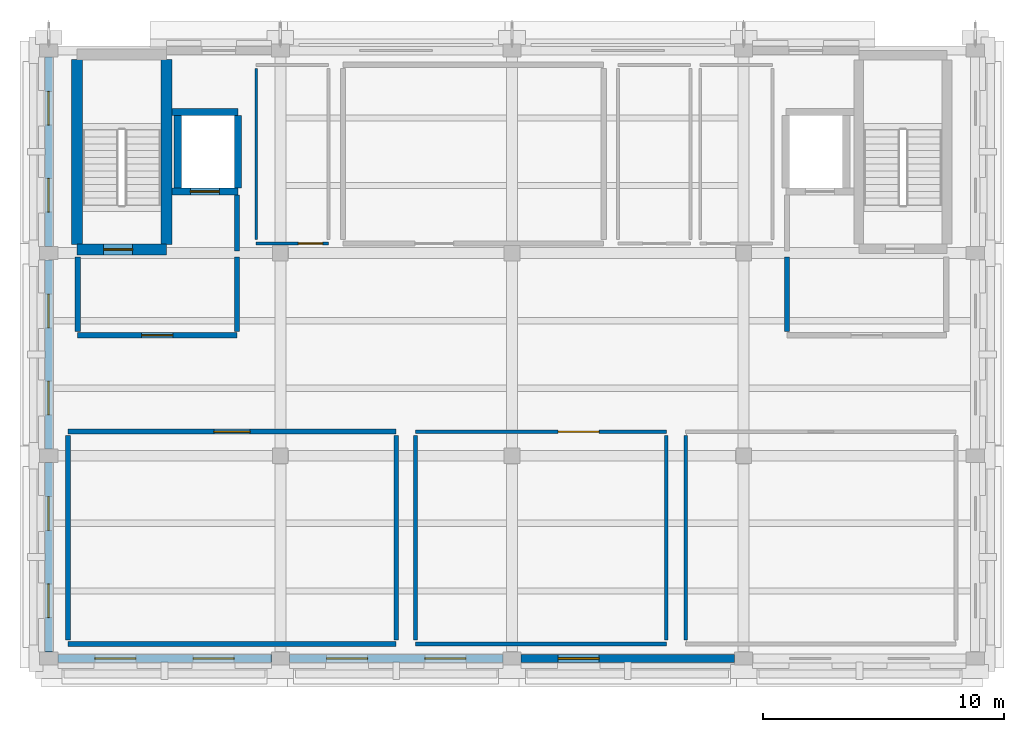
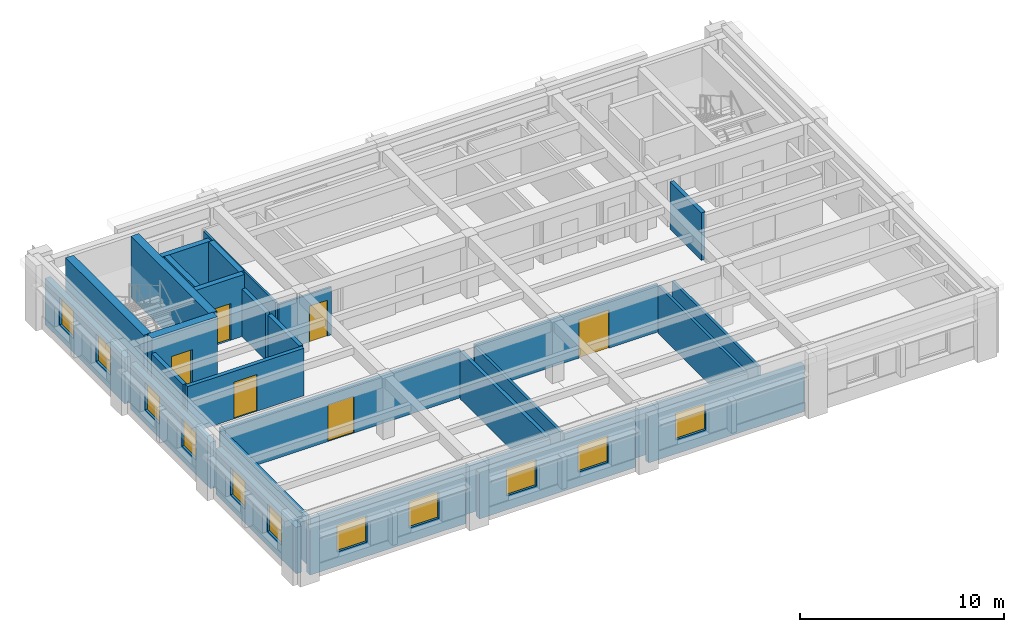
# One storey, part 4 of 9: 29 walls, 11 windows, 6 doors, 17 openings.
"""IFC4 building model written with IfcOpenShell, lengths in metres."""

import ifcopenshell
import ifcopenshell.guid

model = None  # the IFC model being written
_history = None  # IfcOwnerHistory: only IFC2X3 demands one
_inside = {}  # id of a spatial element -> (the spatial element, [elements in it])
_under = {}  # id of a project, library or spatial element -> (it, [spatial elements below it])
_declared = {}  # id of a project -> (the project, [libraries it declares])
_typed = {}  # id of a type object -> (the type object, [elements of that type])
_made_of = {}  # id of a material, layer set ... -> (it, [elements and type objects made of it])


def new_model(schema):
    """Start an empty IFC model of exactly this schema.

    Asked for "IFC4X3", IfcOpenShell would pick the latest addendum, in which some entities
    have other attributes; the version numbers below select the first issue.
    IFC2X3 requires an IfcOwnerHistory on every rooted entity: one is made here for all.
    """
    global model, _history
    if schema == "IFC4X3":
        model = ifcopenshell.file(schema_version=(4, 3, 0, 0))
    else:
        model = ifcopenshell.file(schema=schema)
    _inside.clear()
    _under.clear()
    _declared.clear()
    _typed.clear()
    _made_of.clear()
    _history = None
    if model.schema == "IFC2X3":
        org = make("IfcOrganization", Name="unknown")
        user = make(
            "IfcPersonAndOrganization",
            ThePerson=make("IfcPerson", FamilyName="unknown"),
            TheOrganization=org,
        )
        app = make(
            "IfcApplication",
            ApplicationDeveloper=org,
            Version="unknown",
            ApplicationFullName="unknown",
            ApplicationIdentifier="unknown",
        )
        _history = make(
            "IfcOwnerHistory",
            OwningUser=user,
            OwningApplication=app,
            ChangeAction="ADDED",
            CreationDate=0,
        )
    return model


def make(cls, **values):
    """One entity of the class cls with the attributes given. An attribute that is None is left unset."""
    return model.create_entity(
        cls, **{name: value for name, value in values.items() if value is not None}
    )


def rooted(cls, **values):
    """An entity with a GlobalId (a new one), such as an element, a storey or a relation."""
    return make(cls, GlobalId=ifcopenshell.guid.new(), OwnerHistory=_history, **values)


def si_unit(unit_type, name, prefix=None):
    """IfcSIUnit, for example si_unit("LENGTHUNIT", "METRE", prefix="MILLI")."""
    return make("IfcSIUnit", UnitType=unit_type, Prefix=prefix, Name=name)


def assignment(units):
    """IfcUnitAssignment: the units of a project."""
    return None if units is None else make("IfcUnitAssignment", Units=units)


def point(xyz):
    """IfcCartesianPoint."""
    return None if xyz is None else make("IfcCartesianPoint", Coordinates=xyz)


def direction(xyz):
    """IfcDirection."""
    return None if xyz is None else make("IfcDirection", DirectionRatios=xyz)


def frame(location, z_axis=None, x_axis=None):
    """IfcAxis2Placement3D, a coordinate frame: its origin and axes. An axis left out is left unset."""
    return make(
        "IfcAxis2Placement3D",
        Location=point(location),
        Axis=direction(z_axis),
        RefDirection=direction(x_axis),
    )


def frame_2d(location, x_axis=None):
    """IfcAxis2Placement2D, a coordinate frame in the plane: its origin and x axis."""
    return make(
        "IfcAxis2Placement2D", Location=point(location), RefDirection=direction(x_axis)
    )


def origin():
    """The frame at (0, 0, 0) with its axes left unset."""
    return frame((0.0, 0.0, 0.0))


def place(relative_to, where):
    """IfcLocalPlacement: puts the frame where relative to a parent placement (None: the world)."""
    return make(
        "IfcLocalPlacement", PlacementRelTo=relative_to, RelativePlacement=where
    )


def context(
    kind, dimensions, precision=None, world=None, true_north=None, identifier=None
):
    """IfcGeometricRepresentationContext, for example the 3D "Model" context."""
    return make(
        "IfcGeometricRepresentationContext",
        ContextIdentifier=identifier,
        ContextType=kind,
        CoordinateSpaceDimension=dimensions,
        Precision=precision,
        WorldCoordinateSystem=world,
        TrueNorth=true_north,
    )


def subcontext(parent, identifier, kind, view, scale=None):
    """IfcGeometricRepresentationSubContext, for example "Body" below "Model"."""
    return make(
        "IfcGeometricRepresentationSubContext",
        ContextIdentifier=identifier,
        ContextType=kind,
        ParentContext=parent,
        TargetScale=scale,
        TargetView=view,
    )


def project(units=None, contexts=None):
    """IfcProject with its units and contexts."""
    return rooted(
        "IfcProject",
        Name="project",
        RepresentationContexts=contexts,
        UnitsInContext=assignment(units),
    )


def spatial(cls, under=None, at=None, **own):
    """A site, building, storey or space (cls), placed at a placement, below another one or the project."""
    s = rooted(cls, ObjectPlacement=at, **own)
    if under is not None:
        _under.setdefault(under.id(), (under, []))[1].append(s)
    return s


def profile(cls, at=None, kind="AREA", **sizes):
    """A parametric profile (cls). Its sizes go by their IFC names, for example OverallWidth=200.0."""
    return make(cls, ProfileType=kind, Position=at, **sizes)


def rectangle(**sizes):
    """IfcRectangleProfileDef."""
    return profile("IfcRectangleProfileDef", **sizes)


def extrude(swept, where, along, depth):
    """IfcExtrudedAreaSolid: the profile swept, set in the frame where, extruded along a direction by depth."""
    return make(
        "IfcExtrudedAreaSolid",
        SweptArea=swept,
        Position=where,
        ExtrudedDirection=direction(along),
        Depth=depth,
    )


def shape(context_of_items, identifier, shape_type, items):
    """IfcShapeRepresentation: the items that make up one representation, for example the "Body"."""
    return make(
        "IfcShapeRepresentation",
        ContextOfItems=context_of_items,
        RepresentationIdentifier=identifier,
        RepresentationType=shape_type,
        Items=items,
    )


def material(Name=None, Category=None):
    """IfcMaterial."""
    return make("IfcMaterial", Name=Name, Category=Category)


def layer(
    of_material, thickness, ventilated=None, Name=None, Category=None, Priority=None
):
    """IfcMaterialLayer: one layer of a wall or slab, of a material (None: an air gap)."""
    return make(
        "IfcMaterialLayer",
        Material=of_material,
        LayerThickness=thickness,
        IsVentilated=ventilated,
        Name=Name,
        Category=Category,
        Priority=Priority,
    )


def layer_set(layers, Name=None):
    """IfcMaterialLayerSet."""
    return make("IfcMaterialLayerSet", MaterialLayers=layers, LayerSetName=Name)


def made_of(thing, what):
    """Note that an element or type object is made of a material, layer set ...; save() writes the relation."""
    if what is not None:
        _made_of.setdefault(what.id(), (what, []))[1].append(thing)
    return thing


def type_object(cls, material=None, **own):
    """A type object (cls), such as IfcWallType, which elements share."""
    return made_of(rooted(cls, **own), material)


def element(
    cls,
    number,
    at=None,
    inside=None,
    cuts=None,
    type_object=None,
    material=None,
    context=None,
    identifier="Body",
    shape_type=None,
    held_by="IfcProductDefinitionShape",
    body=None,
    shapes=None,
    **own,
):
    """One element of the class cls, such as IfcWall. Its Tag is "e" and its number.

    at: its placement. inside: the storey or other place that contains it. cuts: it is an
    opening in that element (IfcRelVoidsElement). A single representation is given by context,
    identifier, shape_type and body (its items); several are given by shapes. held_by: the class
    of the entity that holds the representations. save() writes the other relations.
    """
    e = rooted(cls, Tag="e%d" % number, ObjectPlacement=at, **own)
    if body is not None:
        shapes = [shape(context, identifier, shape_type, body)]
    if shapes is not None:
        e.Representation = make(held_by, Representations=shapes)
    if inside is not None:
        _inside.setdefault(inside.id(), (inside, []))[1].append(e)
    if cuts is not None:
        rooted(
            "IfcRelVoidsElement", RelatingBuildingElement=cuts, RelatedOpeningElement=e
        )
    if type_object is not None:
        _typed.setdefault(type_object.id(), (type_object, []))[1].append(e)
    return made_of(e, material)


def fill(opening, filler):
    """IfcRelFillsElement: the door or window that sits in an opening."""
    return rooted(
        "IfcRelFillsElement",
        RelatingOpeningElement=opening,
        RelatedBuildingElement=filler,
    )


def aggregate(whole, parts):
    """IfcRelAggregates: a whole, such as a stair, and the parts it consists of."""
    return rooted("IfcRelAggregates", RelatingObject=whole, RelatedObjects=parts)


def save(model, path):
    """Write the relations noted so far, then the file.

    IfcRelAggregates (storeys below a building ...), IfcRelContainedInSpatialStructure (elements
    in a storey), IfcRelDefinesByType, IfcRelAssociatesMaterial and IfcRelDeclares: one each for
    every whole, place, type object, material and project.
    """
    for whole, parts in _under.values():
        aggregate(whole, parts)
    for where, things in _inside.values():
        rooted(
            "IfcRelContainedInSpatialStructure",
            RelatedElements=things,
            RelatingStructure=where,
        )
    for kind, things in _typed.values():
        rooted("IfcRelDefinesByType", RelatedObjects=things, RelatingType=kind)
    for what, things in _made_of.values():
        rooted("IfcRelAssociatesMaterial", RelatedObjects=things, RelatingMaterial=what)
    for by, libraries in _declared.values():
        rooted("IfcRelDeclares", RelatingContext=by, RelatedDefinitions=libraries)
    model.write(path)


model = new_model("IFC4")

# Units and contexts
model_context = context("Model", 3, precision=1e-05, world=origin(), true_north=direction((0.0, 1.0)))
body_context = subcontext(model_context, "Body", "Model", "MODEL_VIEW")
ifc_project = project(units=[si_unit("LENGTHUNIT", "METRE"), si_unit("AREAUNIT", "SQUARE_METRE"), si_unit("VOLUMEUNIT", "CUBIC_METRE"), si_unit("PLANEANGLEUNIT", "RADIAN"), si_unit("MASSUNIT", "GRAM", prefix="KILO")], contexts=[model_context])

# Site, building, storey
site_placement = place(None, origin())
site = spatial("IfcSite", under=ifc_project, at=site_placement, CompositionType="ELEMENT")
building_placement = place(site_placement, origin())
building = spatial("IfcBuilding", under=site, at=building_placement, Name="Bempovik Park Faculty of Sciences", CompositionType="ELEMENT")
storey_placement = place(building_placement, frame((0.0, 0.0, 46.199951171875)))
storey = spatial("IfcBuildingStorey", under=building, at=storey_placement, Name="L11", CompositionType="ELEMENT", Elevation=46.199951171875)

# Wall, opening, door
ifc_material_1 = material(Name="Concrete C40/50", Category="concrete")
ifc_layer_1 = layer(ifc_material_1, 0.449951171875)
ifc_layer_set_1 = layer_set([ifc_layer_1], Name="Concrete C40/50")
wall_type_1 = type_object("IfcWallType", Name="W-15 Wall 450mm", PredefinedType="SHEAR", material=ifc_layer_set_1)
wall_1_placement = place(storey_placement, frame((70.77490234375, 111.14990234375, 0.0), z_axis=(0.0, 0.0, 1.0), x_axis=(1.0, 0.0, 0.0)))
wall_1 = element("IfcWall", 1, at=wall_1_placement, inside=storey, type_object=wall_type_1, Name="ST-1 L11 Core Shear Wall South", PredefinedType="SHEAR", context=body_context, shape_type="SweptSolid", body=[
    extrude(rectangle(XDim=3.7001953125, YDim=0.449951171875, at=frame_2d((1.85009765625, 0.0))), origin(), (0.0, 0.0, 1.0), 3.679931640625),
])
opening_1_placement = place(wall_1_placement, frame((1.10009765625, 0.0, 0.0)))
opening_1 = element("IfcOpeningElement", 2, at=opening_1_placement, cuts=wall_1, Name="Opening D-49", PredefinedType="OPENING", context=body_context, shape_type="SweptSolid", body=[
    extrude(rectangle(XDim=1.199951171875, YDim=2.199951171875, at=frame_2d((0.60009765625, 1.10009765625))), frame((0.0, 0.23486328125, 0.0), z_axis=(0.0, -1.0, 0.0), x_axis=(1.0, 0.0, 0.0)), (0.0, 0.0, 1.0), 0.469970703125),
])
ifc_material_2 = material(Name="Painted steel S355", Category="steel")
door_type_1 = type_object("IfcDoorType", Name="D-49 Door 1200x2200", OperationType="NOTDEFINED", PredefinedType="DOOR", material=ifc_material_2)
door_1_placement = place(opening_1_placement, origin())
door_1 = element("IfcDoor", 3, at=door_1_placement, inside=storey, type_object=door_type_1, Name="ST-1 L11 Protected Stair Smoke Door", OperationType="SINGLE_SWING_LEFT", OverallHeight=2.199951171875, OverallWidth=1.199951171875, PredefinedType="DOOR", context=body_context, shape_type="SweptSolid", body=[
    extrude(rectangle(XDim=1.199951171875, YDim=2.199951171875, at=frame_2d((0.60009765625, 1.10009765625))), frame((0.0, 0.02490234375, 0.0), z_axis=(0.0, -1.0, 0.0), x_axis=(1.0, 0.0, 0.0)), (0.0, 0.0, 1.0), 0.050048828125),
])
fill(opening_1, door_1)

# Walls
for number, where, z_axis, x_axis, name in (
    (4, (70.77490234375, 111.35009765625, 0.0), (0.0, 0.0, 1.0), (0.0, 1.0, 0.0), "ST-1 L11 Core Shear Wall West"),
    (5, (74.47509765625, 111.35009765625, 0.0), (0.0, 0.0, 1.0), (0.0, 1.0, 0.0), "ST-1 L11 Core Shear Wall East"),
):
    element("IfcWall", number, at=place(storey_placement, frame(where, z_axis=z_axis, x_axis=x_axis)), inside=storey, type_object=wall_type_1, Name=name, PredefinedType="SHEAR", context=body_context, shape_type="SweptSolid", body=[
        extrude(rectangle(XDim=7.6748046875, YDim=0.449951171875, at=frame_2d((3.83740234375, 0.0))), origin(), (0.0, 0.0, 1.0), 3.679931640625),
    ])

# Wall, opening, door
ifc_material_3 = material(Name="Gypsum acoustic stud assembly")
ifc_layer_2 = layer(ifc_material_3, 0.1201171875)
ifc_layer_set_2 = layer_set([ifc_layer_2], Name="Gypsum acoustic stud assembly")
wall_type_2 = type_object("IfcWallType", Name="W-17 Wall 120mm", PredefinedType="PARTITIONING", material=ifc_layer_set_2)
wall_2_placement = place(storey_placement, frame((78.199951171875, 111.39990234375, 0.0), z_axis=(0.0, 0.0, 1.0), x_axis=(1.0, 0.0, 0.0)))
wall_2 = element("IfcWall", 6, at=wall_2_placement, inside=storey, type_object=wall_type_2, Name="L11 L11 Accessible WC Partition South", PredefinedType="PARTITIONING", context=body_context, shape_type="SweptSolid", body=[
    extrude(rectangle(XDim=3.0, YDim=0.1201171875, at=frame_2d((1.5, 0.0))), origin(), (0.0, 0.0, 1.0), 2.85009765625),
])
opening_2_placement = place(wall_2_placement, frame((1.75, 0.0, 0.0)))
opening_2 = element("IfcOpeningElement", 7, at=opening_2_placement, cuts=wall_2, Name="Opening D-50", PredefinedType="OPENING", context=body_context, shape_type="SweptSolid", body=[
    extrude(rectangle(XDim=1.0, YDim=2.14990234375, at=frame_2d((0.5, 1.074951171875))), frame((0.0, 0.070068359375, 0.0), z_axis=(0.0, -1.0, 0.0), x_axis=(1.0, 0.0, 0.0)), (0.0, 0.0, 1.0), 0.14013671875),
])
ifc_material_4 = material(Name="West African hardwood finish", Category="wood")
door_type_2 = type_object("IfcDoorType", Name="D-50 Door 1000x2150", OperationType="NOTDEFINED", PredefinedType="DOOR", material=ifc_material_4)
door_2_placement = place(opening_2_placement, origin())
door_2 = element("IfcDoor", 8, at=door_2_placement, inside=storey, type_object=door_type_2, Name="L11 L11 Accessible WC Door", OperationType="SINGLE_SWING_RIGHT", OverallHeight=2.14990234375, OverallWidth=1.0, PredefinedType="DOOR", context=body_context, shape_type="SweptSolid", body=[
    extrude(rectangle(XDim=1.0, YDim=2.14990234375, at=frame_2d((0.5, 1.074951171875))), frame((0.0, 0.02490234375, 0.0), z_axis=(0.0, -1.0, 0.0), x_axis=(1.0, 0.0, 0.0)), (0.0, 0.0, 1.0), 0.050048828125),
])
fill(opening_2, door_2)

# Wall
wall_3_placement = place(storey_placement, frame((78.199951171875, 111.56005859375, 0.0), z_axis=(0.0, 0.0, 1.0), x_axis=(0.0, 1.0, 0.0)))
element("IfcWall", 9, at=wall_3_placement, inside=storey, type_object=wall_type_2, Name="L11 L11 Accessible WC Partition West", PredefinedType="PARTITIONING", context=body_context, shape_type="SweptSolid", body=[
    extrude(rectangle(XDim=7.079833984375, YDim=0.1201171875, at=frame_2d((3.5400390625, 0.0))), origin(), (0.0, 0.0, 1.0), 2.85009765625),
])

# Wall, opening, door
ifc_layer_3 = layer(ifc_material_1, 0.300048828125)
ifc_layer_set_3 = layer_set([ifc_layer_3], Name="Concrete C40/50")
wall_type_3 = type_object("IfcWallType", Name="W-31 Wall 300mm", PredefinedType="SHEAR", material=ifc_layer_set_3)
wall_4_placement = place(storey_placement, frame((74.699951171875, 113.550048828125, 0.0), z_axis=(0.0, 0.0, 1.0), x_axis=(1.0, 0.0, 0.0)))
wall_4 = element("IfcWall", 10, at=wall_4_placement, inside=storey, type_object=wall_type_3, Name="Lift LF-1 L11 Shaft Wall South", PredefinedType="SHEAR", context=body_context, shape_type="SweptSolid", body=[
    extrude(rectangle(XDim=2.75, YDim=0.300048828125, at=frame_2d((1.375, 0.0))), origin(), (0.0, 0.0, 1.0), 3.679931640625),
])
opening_3_placement = place(wall_4_placement, frame((0.77490234375, 0.0, 0.0)))
opening_3 = element("IfcOpeningElement", 11, at=opening_3_placement, cuts=wall_4, Name="Opening LD-01", PredefinedType="OPENING", context=body_context, shape_type="SweptSolid", body=[
    extrude(rectangle(XDim=1.199951171875, YDim=2.199951171875, at=frame_2d((0.60009765625, 1.10009765625))), frame((0.0, 0.16015625, 0.0), z_axis=(0.0, -1.0, 0.0), x_axis=(1.0, 0.0, 0.0)), (0.0, 0.0, 1.0), 0.320068359375),
])
door_type_3 = type_object("IfcDoorType", Name="LD-01 Door 1200x2200", OperationType="NOTDEFINED", PredefinedType="DOOR", material=ifc_material_2)
door_3_placement = place(opening_3_placement, origin())
door_3 = element("IfcDoor", 12, at=door_3_placement, inside=storey, type_object=door_type_3, Name="Lift LF-1 L11 Sliding Landing Door", OperationType="SLIDING_TO_LEFT", OverallHeight=2.199951171875, OverallWidth=1.199951171875, PredefinedType="DOOR", context=body_context, shape_type="SweptSolid", body=[
    extrude(rectangle(XDim=1.199951171875, YDim=2.199951171875, at=frame_2d((0.60009765625, 1.10009765625))), frame((0.0, 0.02490234375, 0.0), z_axis=(0.0, -1.0, 0.0), x_axis=(1.0, 0.0, 0.0)), (0.0, 0.0, 1.0), 0.050048828125),
])
fill(opening_3, door_3)

# Walls
wall_5_placement = place(storey_placement, frame((74.699951171875, 116.85009765625, 0.0), z_axis=(0.0, 0.0, 1.0), x_axis=(1.0, 0.0, 0.0)))
element("IfcWall", 13, at=wall_5_placement, inside=storey, type_object=wall_type_3, Name="Lift LF-1 L11 Shaft Wall North", PredefinedType="SHEAR", context=body_context, shape_type="SweptSolid", body=[
    extrude(rectangle(XDim=2.75, YDim=0.300048828125, at=frame_2d((1.375, 0.0))), origin(), (0.0, 0.0, 1.0), 3.679931640625),
])
for number, where, z_axis, x_axis, name in (
    (14, (74.949951171875, 113.699951171875, 0.0), (0.0, 0.0, 1.0), (0.0, 1.0, 0.0), "Lift LF-1 L11 Shaft Wall West"),
    (15, (77.449951171875, 113.699951171875, 0.0), (0.0, 0.0, 1.0), (0.0, 1.0, 0.0), "Lift LF-1 L11 Shaft Wall East"),
):
    element("IfcWall", number, at=place(storey_placement, frame(where, z_axis=z_axis, x_axis=x_axis)), inside=storey, type_object=wall_type_3, Name=name, PredefinedType="SHEAR", context=body_context, shape_type="SweptSolid", body=[
        extrude(rectangle(XDim=3.0, YDim=0.300048828125, at=frame_2d((1.5, 0.0))), origin(), (0.0, 0.0, 1.0), 3.679931640625),
    ])

# Wall, opening, door
ifc_material_5 = material(Name="Concrete C35/45", Category="concrete")
ifc_layer_4 = layer(ifc_material_5, 0.219970703125)
ifc_layer_set_4 = layer_set([ifc_layer_4], Name="Concrete C35/45")
wall_type_4 = type_object("IfcWallType", Name="W-38 Wall 220mm", PredefinedType="PARTITIONING", material=ifc_layer_set_4)
wall_6_placement = place(storey_placement, frame((70.800048828125, 107.60009765625, 0.0), z_axis=(0.0, 0.0, 1.0), x_axis=(1.0, 0.0, 0.0)))
wall_6 = element("IfcWall", 16, at=wall_6_placement, inside=storey, type_object=wall_type_4, Name="L11 Firefighting Lift Lobby West Partition South", PredefinedType="PARTITIONING", context=body_context, shape_type="SweptSolid", body=[
    extrude(rectangle(XDim=6.599853515625, YDim=0.219970703125, at=frame_2d((3.2998046875, 0.0))), origin(), (0.0, 0.0, 1.0), 2.85009765625),
])
opening_4_placement = place(wall_6_placement, frame((2.64990234375, 0.0, 0.0)))
opening_4 = element("IfcOpeningElement", 17, at=opening_4_placement, cuts=wall_6, Name="Opening D-38", PredefinedType="OPENING", context=body_context, shape_type="SweptSolid", body=[
    extrude(rectangle(XDim=1.300048828125, YDim=2.199951171875, at=frame_2d((0.64990234375, 1.10009765625))), frame((0.0, 0.1201171875, 0.0), z_axis=(0.0, -1.0, 0.0), x_axis=(1.0, 0.0, 0.0)), (0.0, 0.0, 1.0), 0.239990234375),
])
door_type_4 = type_object("IfcDoorType", Name="D-38 Door 1300x2200", OperationType="NOTDEFINED", PredefinedType="DOOR", material=ifc_material_2)
door_4_placement = place(opening_4_placement, origin())
door_4 = element("IfcDoor", 18, at=door_4_placement, inside=storey, type_object=door_type_4, Name="L11 Firefighting Lift Lobby West Door", OperationType="SINGLE_SWING_RIGHT", OverallHeight=2.199951171875, OverallWidth=1.300048828125, PredefinedType="DOOR", context=body_context, shape_type="SweptSolid", body=[
    extrude(rectangle(XDim=1.300048828125, YDim=2.199951171875, at=frame_2d((0.64990234375, 1.10009765625))), frame((0.0, 0.02490234375, 0.0), z_axis=(0.0, -1.0, 0.0), x_axis=(1.0, 0.0, 0.0)), (0.0, 0.0, 1.0), 0.050048828125),
])
fill(opening_4, door_4)

# Walls
wall_7_placement = place(storey_placement, frame((77.39990234375, 111.080078125, 0.0), z_axis=(0.0, 0.0, 1.0), x_axis=(0.0, 1.0, 0.0)))
element("IfcWall", 19, at=wall_7_placement, inside=storey, type_object=wall_type_4, Name="L11 Firefighting Lobby West Lift Link Wall", PredefinedType="PARTITIONING", context=body_context, shape_type="SweptSolid", body=[
    extrude(rectangle(XDim=2.31982421875, YDim=0.219970703125, at=frame_2d((1.159912109375, 0.0))), origin(), (0.0, 0.0, 1.0), 2.85009765625),
])
for number, where, z_axis, x_axis, name in (
    (20, (70.800048828125, 107.760009765625, 0.0), (0.0, 0.0, 1.0), (0.0, 1.0, 0.0), "L11 Firefighting Lift Lobby West Partition West"),
    (21, (77.39990234375, 107.760009765625, 0.0), (0.0, 0.0, 1.0), (0.0, 1.0, 0.0), "L11 Firefighting Lift Lobby West Partition East"),
    (22, (100.199951171875, 107.760009765625, 0.0), (0.0, 0.0, 1.0), (0.0, 1.0, 0.0), "L11 Firefighting Lift Lobby East Partition West"),
):
    element("IfcWall", number, at=place(storey_placement, frame(where, z_axis=z_axis, x_axis=x_axis)), inside=storey, type_object=wall_type_4, Name=name, PredefinedType="PARTITIONING", context=body_context, shape_type="SweptSolid", body=[
        extrude(rectangle(XDim=3.080078125, YDim=0.219970703125, at=frame_2d((1.5400390625, 0.0))), origin(), (0.0, 0.0, 1.0), 2.85009765625),
    ])
ifc_layer_5 = layer(ifc_material_3, 0.14990234375)
ifc_layer_set_5 = layer_set([ifc_layer_5], Name="Gypsum acoustic stud assembly")
wall_type_5 = type_object("IfcWallType", Name="W-42 Wall 150mm", PredefinedType="PARTITIONING", material=ifc_layer_set_5)
wall_8_placement = place(storey_placement, frame((84.800048828125, 94.800048828125, 0.0), z_axis=(0.0, 0.0, 1.0), x_axis=(1.0, 0.0, 0.0)))
element("IfcWall", 23, at=wall_8_placement, inside=storey, type_object=wall_type_5, Name="L11 Observatory Sky Reading Room Partition South", PredefinedType="PARTITIONING", context=body_context, shape_type="SweptSolid", body=[
    extrude(rectangle(XDim=10.39990234375, YDim=0.14990234375, at=frame_2d((5.199951171875, 0.0))), origin(), (0.0, 0.0, 1.0), 2.85009765625),
])

# Wall, opening, door
wall_9_placement = place(storey_placement, frame((84.800048828125, 103.60009765625, 0.0), z_axis=(0.0, 0.0, 1.0), x_axis=(1.0, 0.0, 0.0)))
wall_9 = element("IfcWall", 24, at=wall_9_placement, inside=storey, type_object=wall_type_5, Name="L11 Observatory Sky Reading Room Partition North", PredefinedType="PARTITIONING", context=body_context, shape_type="SweptSolid", body=[
    extrude(rectangle(XDim=10.39990234375, YDim=0.14990234375, at=frame_2d((5.199951171875, 0.0))), origin(), (0.0, 0.0, 1.0), 2.85009765625),
])
opening_5_placement = place(wall_9_placement, frame((5.909912109375, 0.0, 0.0)))
opening_5 = element("IfcOpeningElement", 25, at=opening_5_placement, cuts=wall_9, Name="Opening D-40", PredefinedType="OPENING", context=body_context, shape_type="SweptSolid", body=[
    extrude(rectangle(XDim=1.699951171875, YDim=2.300048828125, at=frame_2d((0.85009765625, 1.14990234375))), frame((0.0, 0.0849609375, 0.0), z_axis=(0.0, -1.0, 0.0), x_axis=(1.0, 0.0, 0.0)), (0.0, 0.0, 1.0), 0.169921875),
])
ifc_material_6 = material(Name="Anodised architectural bronze")
door_type_5 = type_object("IfcDoorType", Name="D-40 Door 1700x2300", OperationType="NOTDEFINED", PredefinedType="DOOR", material=ifc_material_6)
door_5_placement = place(opening_5_placement, origin())
door_5 = element("IfcDoor", 26, at=door_5_placement, inside=storey, type_object=door_type_5, Name="L11 Observatory Sky Reading Room Door", OperationType="DOUBLE_DOOR_SINGLE_SWING", OverallHeight=2.300048828125, OverallWidth=1.699951171875, PredefinedType="DOOR", context=body_context, shape_type="SweptSolid", body=[
    extrude(rectangle(XDim=1.699951171875, YDim=2.300048828125, at=frame_2d((0.85009765625, 1.14990234375))), frame((0.0, 0.02490234375, 0.0), z_axis=(0.0, -1.0, 0.0), x_axis=(1.0, 0.0, 0.0)), (0.0, 0.0, 1.0), 0.050048828125),
])
fill(opening_5, door_5)

# Walls
for number, where, z_axis, x_axis, name in (
    (27, (84.800048828125, 94.9599609375, 0.0), (0.0, 0.0, 1.0), (0.0, 1.0, 0.0), "L11 Observatory Sky Reading Room Partition West"),
    (28, (95.199951171875, 94.9599609375, 0.0), (0.0, 0.0, 1.0), (0.0, 1.0, 0.0), "L11 Observatory Sky Reading Room Partition East"),
    (29, (96.0, 94.9599609375, 0.0), (0.0, 0.0, 1.0), (0.0, 1.0, 0.0), "L11 Faculty Advisory Boardroom Partition West"),
):
    element("IfcWall", number, at=place(storey_placement, frame(where, z_axis=z_axis, x_axis=x_axis)), inside=storey, type_object=wall_type_5, Name=name, PredefinedType="PARTITIONING", context=body_context, shape_type="SweptSolid", body=[
        extrude(rectangle(XDim=8.47998046875, YDim=0.14990234375, at=frame_2d((4.239990234375, 0.0))), origin(), (0.0, 0.0, 1.0), 2.85009765625),
    ])

# Wall, openings, windows
ifc_material_7 = material(Name="Precast concrete C40/50", Category="concrete")
ifc_layer_6 = layer(ifc_material_7, 0.320068359375)
ifc_layer_set_6 = layer_set([ifc_layer_6], Name="Precast concrete C40/50")
wall_type_6 = type_object("IfcWallType", Name="W-56 Wall 320mm", PredefinedType="SOLIDWALL", material=ifc_layer_set_6)
wall_10_placement = place(storey_placement, frame((69.60009765625, 94.47705078125, 0.0), z_axis=(0.0, 0.0, 1.0), x_axis=(0.0, 1.0, 0.0)))
wall_10 = element("IfcWall", 30, at=wall_10_placement, inside=storey, type_object=wall_type_6, Name="L11 Classical Precast Facade Wall EW-L11-11356", PredefinedType="SOLIDWALL", context=body_context, shape_type="SweptSolid", body=[
    extrude(rectangle(XDim=7.845947265625, YDim=0.320068359375, at=frame_2d((3.9228515625, 0.0))), origin(), (0.0, 0.0, 1.0), 2.780029296875),
])
opening_6_placement = place(wall_10_placement, frame((1.41845703125, 0.0, 0.85009765625)))
opening_6 = element("IfcOpeningElement", 31, at=opening_6_placement, cuts=wall_10, Name="Opening WN-84", PredefinedType="OPENING", context=body_context, shape_type="SweptSolid", body=[
    extrude(rectangle(XDim=1.39990234375, YDim=1.64990234375, at=frame_2d((0.699951171875, 0.824951171875))), frame((0.0, 0.169921875, 0.0), z_axis=(0.0, -1.0, 0.0), x_axis=(1.0, 0.0, 0.0)), (0.0, 0.0, 1.0), 0.340087890625),
])
opening_7_placement = place(wall_10_placement, frame((5.027587890625, 0.0, 0.85009765625)))
opening_7 = element("IfcOpeningElement", 32, at=opening_7_placement, cuts=wall_10, Name="Opening WN-84", PredefinedType="OPENING", context=body_context, shape_type="SweptSolid", body=[
    extrude(rectangle(XDim=1.39990234375, YDim=1.64990234375, at=frame_2d((0.699951171875, 0.824951171875))), frame((0.0, 0.169921875, 0.0), z_axis=(0.0, -1.0, 0.0), x_axis=(1.0, 0.0, 0.0)), (0.0, 0.0, 1.0), 0.340087890625),
])
ifc_material_8 = material(Name="Tempered laminated low-E glass", Category="glass")
window_type_1 = type_object("IfcWindowType", Name="WN-84 Window 1400x1650", PartitioningType="SINGLE_PANEL", PredefinedType="WINDOW", material=ifc_material_8)
window_1_placement = place(opening_6_placement, origin())
window_1 = element("IfcWindow", 33, at=window_1_placement, inside=storey, type_object=window_type_1, Name="L11 Window EW-L11-11356-1", OverallHeight=1.64990234375, OverallWidth=1.39990234375, PartitioningType="SINGLE_PANEL", PredefinedType="WINDOW", context=body_context, shape_type="SweptSolid", body=[
    extrude(rectangle(XDim=1.39990234375, YDim=1.64990234375, at=frame_2d((0.699951171875, 0.824951171875))), frame((0.0, 0.030029296875, 0.0), z_axis=(0.0, -1.0, 0.0), x_axis=(1.0, 0.0, 0.0)), (0.0, 0.0, 1.0), 0.06005859375),
])
fill(opening_6, window_1)
window_2_placement = place(opening_7_placement, origin())
window_2 = element("IfcWindow", 34, at=window_2_placement, inside=storey, type_object=window_type_1, Name="L11 Window EW-L11-11356-2", OverallHeight=1.64990234375, OverallWidth=1.39990234375, PartitioningType="SINGLE_PANEL", PredefinedType="WINDOW", context=body_context, shape_type="SweptSolid", body=[
    extrude(rectangle(XDim=1.39990234375, YDim=1.64990234375, at=frame_2d((0.699951171875, 0.824951171875))), frame((0.0, 0.030029296875, 0.0), z_axis=(0.0, -1.0, 0.0), x_axis=(1.0, 0.0, 0.0)), (0.0, 0.0, 1.0), 0.06005859375),
])
fill(opening_7, window_2)

wall_11_placement = place(storey_placement, frame((69.60009765625, 102.876953125, 0.0), z_axis=(0.0, 0.0, 1.0), x_axis=(0.0, 1.0, 0.0)))
wall_11 = element("IfcWall", 35, at=wall_11_placement, inside=storey, type_object=wall_type_6, Name="L11 Classical Precast Facade Wall EW-L11-11370", PredefinedType="SOLIDWALL", context=body_context, shape_type="SweptSolid", body=[
    extrude(rectangle(XDim=7.845947265625, YDim=0.320068359375, at=frame_2d((3.9228515625, 0.0))), origin(), (0.0, 0.0, 1.0), 2.780029296875),
])
opening_8_placement = place(wall_11_placement, frame((1.41845703125, 0.0, 0.85009765625)))
opening_8 = element("IfcOpeningElement", 36, at=opening_8_placement, cuts=wall_11, Name="Opening WN-84", PredefinedType="OPENING", context=body_context, shape_type="SweptSolid", body=[
    extrude(rectangle(XDim=1.39990234375, YDim=1.64990234375, at=frame_2d((0.699951171875, 0.824951171875))), frame((0.0, 0.169921875, 0.0), z_axis=(0.0, -1.0, 0.0), x_axis=(1.0, 0.0, 0.0)), (0.0, 0.0, 1.0), 0.340087890625),
])
opening_9_placement = place(wall_11_placement, frame((5.027587890625, 0.0, 0.85009765625)))
opening_9 = element("IfcOpeningElement", 37, at=opening_9_placement, cuts=wall_11, Name="Opening WN-84", PredefinedType="OPENING", context=body_context, shape_type="SweptSolid", body=[
    extrude(rectangle(XDim=1.39990234375, YDim=1.64990234375, at=frame_2d((0.699951171875, 0.824951171875))), frame((0.0, 0.169921875, 0.0), z_axis=(0.0, -1.0, 0.0), x_axis=(1.0, 0.0, 0.0)), (0.0, 0.0, 1.0), 0.340087890625),
])
window_3_placement = place(opening_8_placement, origin())
window_3 = element("IfcWindow", 38, at=window_3_placement, inside=storey, type_object=window_type_1, Name="L11 Window EW-L11-11370-1", OverallHeight=1.64990234375, OverallWidth=1.39990234375, PartitioningType="SINGLE_PANEL", PredefinedType="WINDOW", context=body_context, shape_type="SweptSolid", body=[
    extrude(rectangle(XDim=1.39990234375, YDim=1.64990234375, at=frame_2d((0.699951171875, 0.824951171875))), frame((0.0, 0.030029296875, 0.0), z_axis=(0.0, -1.0, 0.0), x_axis=(1.0, 0.0, 0.0)), (0.0, 0.0, 1.0), 0.06005859375),
])
fill(opening_8, window_3)
window_4_placement = place(opening_9_placement, origin())
window_4 = element("IfcWindow", 39, at=window_4_placement, inside=storey, type_object=window_type_1, Name="L11 Window EW-L11-11370-2", OverallHeight=1.64990234375, OverallWidth=1.39990234375, PartitioningType="SINGLE_PANEL", PredefinedType="WINDOW", context=body_context, shape_type="SweptSolid", body=[
    extrude(rectangle(XDim=1.39990234375, YDim=1.64990234375, at=frame_2d((0.699951171875, 0.824951171875))), frame((0.0, 0.030029296875, 0.0), z_axis=(0.0, -1.0, 0.0), x_axis=(1.0, 0.0, 0.0)), (0.0, 0.0, 1.0), 0.06005859375),
])
fill(opening_9, window_4)

wall_12_placement = place(storey_placement, frame((69.60009765625, 111.277099609375, 0.0), z_axis=(0.0, 0.0, 1.0), x_axis=(0.0, 1.0, 0.0)))
wall_12 = element("IfcWall", 40, at=wall_12_placement, inside=storey, type_object=wall_type_6, Name="L11 Classical Precast Facade Wall EW-L11-11383", PredefinedType="SOLIDWALL", context=body_context, shape_type="SweptSolid", body=[
    extrude(rectangle(XDim=7.845947265625, YDim=0.320068359375, at=frame_2d((3.9228515625, 0.0))), origin(), (0.0, 0.0, 1.0), 2.780029296875),
])
opening_10_placement = place(wall_12_placement, frame((1.41845703125, 0.0, 0.85009765625)))
opening_10 = element("IfcOpeningElement", 41, at=opening_10_placement, cuts=wall_12, Name="Opening WN-84", PredefinedType="OPENING", context=body_context, shape_type="SweptSolid", body=[
    extrude(rectangle(XDim=1.39990234375, YDim=1.64990234375, at=frame_2d((0.699951171875, 0.824951171875))), frame((0.0, 0.169921875, 0.0), z_axis=(0.0, -1.0, 0.0), x_axis=(1.0, 0.0, 0.0)), (0.0, 0.0, 1.0), 0.340087890625),
])
opening_11_placement = place(wall_12_placement, frame((5.027587890625, 0.0, 0.85009765625)))
opening_11 = element("IfcOpeningElement", 42, at=opening_11_placement, cuts=wall_12, Name="Opening WN-84", PredefinedType="OPENING", context=body_context, shape_type="SweptSolid", body=[
    extrude(rectangle(XDim=1.39990234375, YDim=1.64990234375, at=frame_2d((0.699951171875, 0.824951171875))), frame((0.0, 0.169921875, 0.0), z_axis=(0.0, -1.0, 0.0), x_axis=(1.0, 0.0, 0.0)), (0.0, 0.0, 1.0), 0.340087890625),
])
window_5_placement = place(opening_10_placement, origin())
window_5 = element("IfcWindow", 43, at=window_5_placement, inside=storey, type_object=window_type_1, Name="L11 Window EW-L11-11383-1", OverallHeight=1.64990234375, OverallWidth=1.39990234375, PartitioningType="SINGLE_PANEL", PredefinedType="WINDOW", context=body_context, shape_type="SweptSolid", body=[
    extrude(rectangle(XDim=1.39990234375, YDim=1.64990234375, at=frame_2d((0.699951171875, 0.824951171875))), frame((0.0, 0.030029296875, 0.0), z_axis=(0.0, -1.0, 0.0), x_axis=(1.0, 0.0, 0.0)), (0.0, 0.0, 1.0), 0.06005859375),
])
fill(opening_10, window_5)
window_6_placement = place(opening_11_placement, origin())
window_6 = element("IfcWindow", 44, at=window_6_placement, inside=storey, type_object=window_type_1, Name="L11 Window EW-L11-11383-2", OverallHeight=1.64990234375, OverallWidth=1.39990234375, PartitioningType="SINGLE_PANEL", PredefinedType="WINDOW", context=body_context, shape_type="SweptSolid", body=[
    extrude(rectangle(XDim=1.39990234375, YDim=1.64990234375, at=frame_2d((0.699951171875, 0.824951171875))), frame((0.0, 0.030029296875, 0.0), z_axis=(0.0, -1.0, 0.0), x_axis=(1.0, 0.0, 0.0)), (0.0, 0.0, 1.0), 0.06005859375),
])
fill(opening_11, window_6)

wall_13_placement = place(storey_placement, frame((69.97705078125, 94.199951171875, 0.0), z_axis=(0.0, 0.0, 1.0), x_axis=(1.0, 0.0, 0.0)))
wall_13 = element("IfcWall", 45, at=wall_13_placement, inside=storey, type_object=wall_type_6, Name="L11 Classical Precast Facade Wall EW-L11-11396", PredefinedType="SOLIDWALL", context=body_context, shape_type="SweptSolid", body=[
    extrude(rectangle(XDim=8.845947265625, YDim=0.320068359375, at=frame_2d((4.4228515625, 0.0))), origin(), (0.0, 0.0, 1.0), 2.780029296875),
])
opening_12_placement = place(wall_13_placement, frame((1.538330078125, 0.0, 0.85009765625)))
opening_12 = element("IfcOpeningElement", 46, at=opening_12_placement, cuts=wall_13, Name="Opening WN-73", PredefinedType="OPENING", context=body_context, shape_type="SweptSolid", body=[
    extrude(rectangle(XDim=1.699951171875, YDim=1.60009765625, at=frame_2d((0.85009765625, 0.800048828125))), frame((0.0, 0.169921875, 0.0), z_axis=(0.0, -1.0, 0.0), x_axis=(1.0, 0.0, 0.0)), (0.0, 0.0, 1.0), 0.340087890625),
])
opening_13_placement = place(wall_13_placement, frame((5.607666015625, 0.0, 0.85009765625)))
opening_13 = element("IfcOpeningElement", 47, at=opening_13_placement, cuts=wall_13, Name="Opening WN-73", PredefinedType="OPENING", context=body_context, shape_type="SweptSolid", body=[
    extrude(rectangle(XDim=1.699951171875, YDim=1.60009765625, at=frame_2d((0.85009765625, 0.800048828125))), frame((0.0, 0.169921875, 0.0), z_axis=(0.0, -1.0, 0.0), x_axis=(1.0, 0.0, 0.0)), (0.0, 0.0, 1.0), 0.340087890625),
])
window_type_2 = type_object("IfcWindowType", Name="WN-73 Window 1700x1600", PartitioningType="SINGLE_PANEL", PredefinedType="WINDOW", material=ifc_material_8)
window_7_placement = place(opening_12_placement, origin())
window_7 = element("IfcWindow", 48, at=window_7_placement, inside=storey, type_object=window_type_2, Name="L11 Window EW-L11-11396-1", OverallHeight=1.60009765625, OverallWidth=1.699951171875, PartitioningType="SINGLE_PANEL", PredefinedType="WINDOW", context=body_context, shape_type="SweptSolid", body=[
    extrude(rectangle(XDim=1.699951171875, YDim=1.60009765625, at=frame_2d((0.85009765625, 0.800048828125))), frame((0.0, 0.030029296875, 0.0), z_axis=(0.0, -1.0, 0.0), x_axis=(1.0, 0.0, 0.0)), (0.0, 0.0, 1.0), 0.06005859375),
])
fill(opening_12, window_7)
window_8_placement = place(opening_13_placement, origin())
window_8 = element("IfcWindow", 49, at=window_8_placement, inside=storey, type_object=window_type_2, Name="L11 Window EW-L11-11396-2", OverallHeight=1.60009765625, OverallWidth=1.699951171875, PartitioningType="SINGLE_PANEL", PredefinedType="WINDOW", context=body_context, shape_type="SweptSolid", body=[
    extrude(rectangle(XDim=1.699951171875, YDim=1.60009765625, at=frame_2d((0.85009765625, 0.800048828125))), frame((0.0, 0.030029296875, 0.0), z_axis=(0.0, -1.0, 0.0), x_axis=(1.0, 0.0, 0.0)), (0.0, 0.0, 1.0), 0.06005859375),
])
fill(opening_13, window_8)

wall_14_placement = place(storey_placement, frame((79.576904296875, 94.199951171875, 0.0), z_axis=(0.0, 0.0, 1.0), x_axis=(1.0, 0.0, 0.0)))
wall_14 = element("IfcWall", 50, at=wall_14_placement, inside=storey, type_object=wall_type_6, Name="L11 Classical Precast Facade Wall EW-L11-11410", PredefinedType="SOLIDWALL", context=body_context, shape_type="SweptSolid", body=[
    extrude(rectangle(XDim=8.84619140625, YDim=0.320068359375, at=frame_2d((4.423095703125, 0.0))), origin(), (0.0, 0.0, 1.0), 2.780029296875),
])
opening_14_placement = place(wall_14_placement, frame((1.538330078125, 0.0, 0.85009765625)))
opening_14 = element("IfcOpeningElement", 51, at=opening_14_placement, cuts=wall_14, Name="Opening WN-73", PredefinedType="OPENING", context=body_context, shape_type="SweptSolid", body=[
    extrude(rectangle(XDim=1.699951171875, YDim=1.60009765625, at=frame_2d((0.85009765625, 0.800048828125))), frame((0.0, 0.169921875, 0.0), z_axis=(0.0, -1.0, 0.0), x_axis=(1.0, 0.0, 0.0)), (0.0, 0.0, 1.0), 0.340087890625),
])
opening_15_placement = place(wall_14_placement, frame((5.607666015625, 0.0, 0.85009765625)))
opening_15 = element("IfcOpeningElement", 52, at=opening_15_placement, cuts=wall_14, Name="Opening WN-73", PredefinedType="OPENING", context=body_context, shape_type="SweptSolid", body=[
    extrude(rectangle(XDim=1.699951171875, YDim=1.60009765625, at=frame_2d((0.85009765625, 0.800048828125))), frame((0.0, 0.169921875, 0.0), z_axis=(0.0, -1.0, 0.0), x_axis=(1.0, 0.0, 0.0)), (0.0, 0.0, 1.0), 0.340087890625),
])
window_9_placement = place(opening_14_placement, origin())
window_9 = element("IfcWindow", 53, at=window_9_placement, inside=storey, type_object=window_type_2, Name="L11 Window EW-L11-11410-1", OverallHeight=1.60009765625, OverallWidth=1.699951171875, PartitioningType="SINGLE_PANEL", PredefinedType="WINDOW", context=body_context, shape_type="SweptSolid", body=[
    extrude(rectangle(XDim=1.699951171875, YDim=1.60009765625, at=frame_2d((0.85009765625, 0.800048828125))), frame((0.0, 0.030029296875, 0.0), z_axis=(0.0, -1.0, 0.0), x_axis=(1.0, 0.0, 0.0)), (0.0, 0.0, 1.0), 0.06005859375),
])
fill(opening_14, window_9)
window_10_placement = place(opening_15_placement, origin())
window_10 = element("IfcWindow", 54, at=window_10_placement, inside=storey, type_object=window_type_2, Name="L11 Window EW-L11-11410-2", OverallHeight=1.60009765625, OverallWidth=1.699951171875, PartitioningType="SINGLE_PANEL", PredefinedType="WINDOW", context=body_context, shape_type="SweptSolid", body=[
    extrude(rectangle(XDim=1.699951171875, YDim=1.60009765625, at=frame_2d((0.85009765625, 0.800048828125))), frame((0.0, 0.030029296875, 0.0), z_axis=(0.0, -1.0, 0.0), x_axis=(1.0, 0.0, 0.0)), (0.0, 0.0, 1.0), 0.06005859375),
])
fill(opening_15, window_10)

# Wall, opening, window
wall_15_placement = place(storey_placement, frame((89.177001953125, 94.199951171875, 0.0), z_axis=(0.0, 0.0, 1.0), x_axis=(1.0, 0.0, 0.0)))
wall_15 = element("IfcWall", 55, at=wall_15_placement, inside=storey, type_object=wall_type_6, Name="L11 Classical Precast Facade Wall EW-L11-11423", PredefinedType="SOLIDWALL", context=body_context, shape_type="SweptSolid", body=[
    extrude(rectangle(XDim=8.845947265625, YDim=0.320068359375, at=frame_2d((4.4228515625, 0.0))), origin(), (0.0, 0.0, 1.0), 2.780029296875),
])
opening_16_placement = place(wall_15_placement, frame((1.538330078125, 0.0, 0.85009765625)))
opening_16 = element("IfcOpeningElement", 56, at=opening_16_placement, cuts=wall_15, Name="Opening WN-73", PredefinedType="OPENING", context=body_context, shape_type="SweptSolid", body=[
    extrude(rectangle(XDim=1.699951171875, YDim=1.60009765625, at=frame_2d((0.85009765625, 0.800048828125))), frame((0.0, 0.169921875, 0.0), z_axis=(0.0, -1.0, 0.0), x_axis=(1.0, 0.0, 0.0)), (0.0, 0.0, 1.0), 0.340087890625),
])
window_11_placement = place(opening_16_placement, origin())
window_11 = element("IfcWindow", 57, at=window_11_placement, inside=storey, type_object=window_type_2, Name="L11 Window EW-L11-11423-1", OverallHeight=1.60009765625, OverallWidth=1.699951171875, PartitioningType="SINGLE_PANEL", PredefinedType="WINDOW", context=body_context, shape_type="SweptSolid", body=[
    extrude(rectangle(XDim=1.699951171875, YDim=1.60009765625, at=frame_2d((0.85009765625, 0.800048828125))), frame((0.0, 0.030029296875, 0.0), z_axis=(0.0, -1.0, 0.0), x_axis=(1.0, 0.0, 0.0)), (0.0, 0.0, 1.0), 0.06005859375),
])
fill(opening_16, window_11)

# Wall
ifc_layer_7 = layer(ifc_material_5, 0.199951171875)
ifc_layer_set_7 = layer_set([ifc_layer_7], Name="Concrete C35/45")
wall_type_7 = type_object("IfcWallType", Name="W-59 Wall 200mm", PredefinedType="PARTITIONING", material=ifc_layer_set_7)
wall_16_placement = place(storey_placement, frame((70.39990234375, 94.800048828125, 0.0), z_axis=(0.0, 0.0, 1.0), x_axis=(1.0, 0.0, 0.0)))
element("IfcWall", 58, at=wall_16_placement, inside=storey, type_object=wall_type_7, Name="L11 West African Atmospheric Chemistry Laboratory Partition South", PredefinedType="PARTITIONING", context=body_context, shape_type="SweptSolid", body=[
    extrude(rectangle(XDim=13.60009765625, YDim=0.199951171875, at=frame_2d((6.800048828125, 0.0))), origin(), (0.0, 0.0, 1.0), 2.85009765625),
])

# Wall, opening, door
wall_17_placement = place(storey_placement, frame((70.39990234375, 103.60009765625, 0.0), z_axis=(0.0, 0.0, 1.0), x_axis=(1.0, 0.0, 0.0)))
wall_17 = element("IfcWall", 59, at=wall_17_placement, inside=storey, type_object=wall_type_7, Name="L11 West African Atmospheric Chemistry Laboratory Partition North", PredefinedType="PARTITIONING", context=body_context, shape_type="SweptSolid", body=[
    extrude(rectangle(XDim=13.60009765625, YDim=0.199951171875, at=frame_2d((6.800048828125, 0.0))), origin(), (0.0, 0.0, 1.0), 2.85009765625),
])
opening_17_placement = place(wall_17_placement, frame((6.050048828125, 0.0, 0.0)))
opening_17 = element("IfcOpeningElement", 60, at=opening_17_placement, cuts=wall_17, Name="Opening D-22", PredefinedType="OPENING", context=body_context, shape_type="SweptSolid", body=[
    extrude(rectangle(XDim=1.5, YDim=2.199951171875, at=frame_2d((0.75, 1.10009765625))), frame((0.0, 0.10986328125, 0.0), z_axis=(0.0, -1.0, 0.0), x_axis=(1.0, 0.0, 0.0)), (0.0, 0.0, 1.0), 0.219970703125),
])
door_type_6 = type_object("IfcDoorType", Name="D-22 Door 1500x2200", OperationType="NOTDEFINED", PredefinedType="DOOR", material=ifc_material_4)
door_6_placement = place(opening_17_placement, origin())
door_6 = element("IfcDoor", 61, at=door_6_placement, inside=storey, type_object=door_type_6, Name="L11 West African Atmospheric Chemistry Laboratory Door", OperationType="SINGLE_SWING_RIGHT", OverallHeight=2.199951171875, OverallWidth=1.5, PredefinedType="DOOR", context=body_context, shape_type="SweptSolid", body=[
    extrude(rectangle(XDim=1.5, YDim=2.199951171875, at=frame_2d((0.75, 1.10009765625))), frame((0.0, 0.02490234375, 0.0), z_axis=(0.0, -1.0, 0.0), x_axis=(1.0, 0.0, 0.0)), (0.0, 0.0, 1.0), 0.050048828125),
])
fill(opening_17, door_6)

# Walls
for number, where, z_axis, x_axis, name in (
    (62, (70.39990234375, 94.9599609375, 0.0), (0.0, 0.0, 1.0), (0.0, 1.0, 0.0), "L11 West African Atmospheric Chemistry Laboratory Partition West"),
    (63, (84.0, 94.9599609375, 0.0), (0.0, 0.0, 1.0), (0.0, 1.0, 0.0), "L11 West African Atmospheric Chemistry Laboratory Partition East"),
):
    element("IfcWall", number, at=place(storey_placement, frame(where, z_axis=z_axis, x_axis=x_axis)), inside=storey, type_object=wall_type_7, Name=name, PredefinedType="PARTITIONING", context=body_context, shape_type="SweptSolid", body=[
        extrude(rectangle(XDim=8.47998046875, YDim=0.199951171875, at=frame_2d((4.239990234375, 0.0))), origin(), (0.0, 0.0, 1.0), 2.85009765625),
    ])

save(model, "model.ifc")
